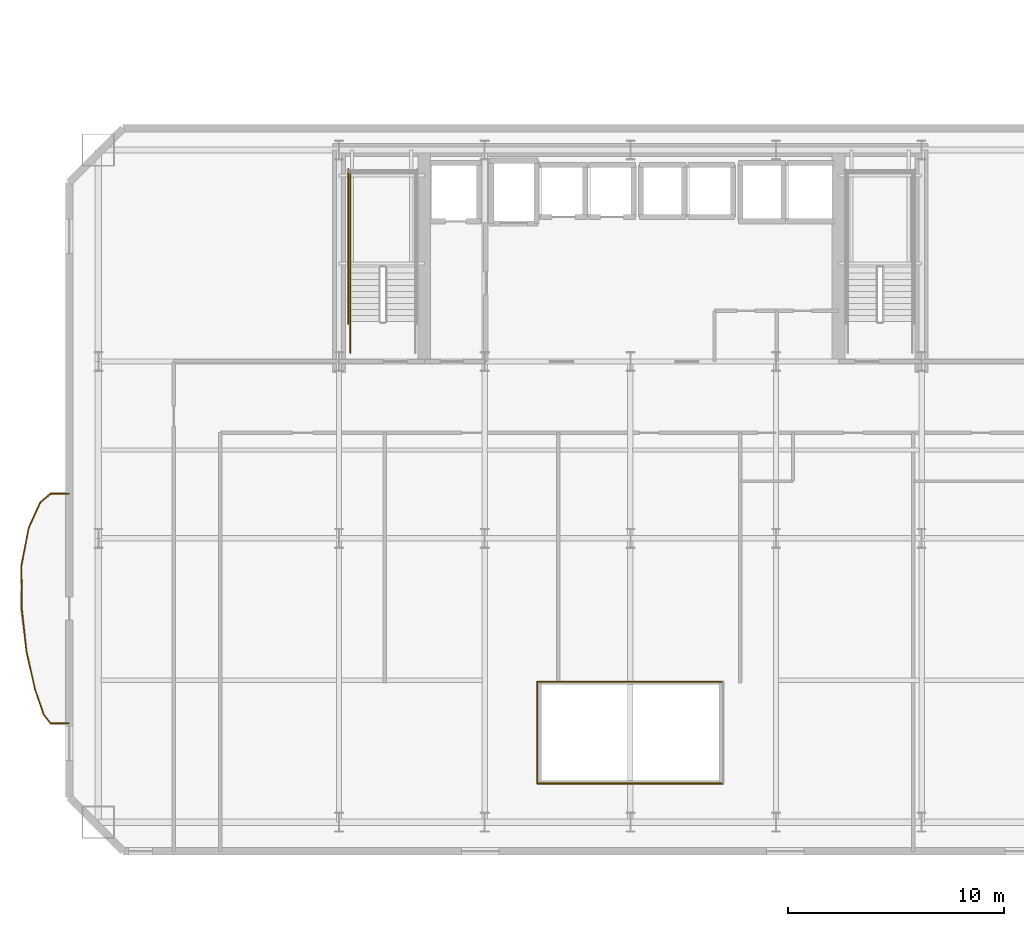
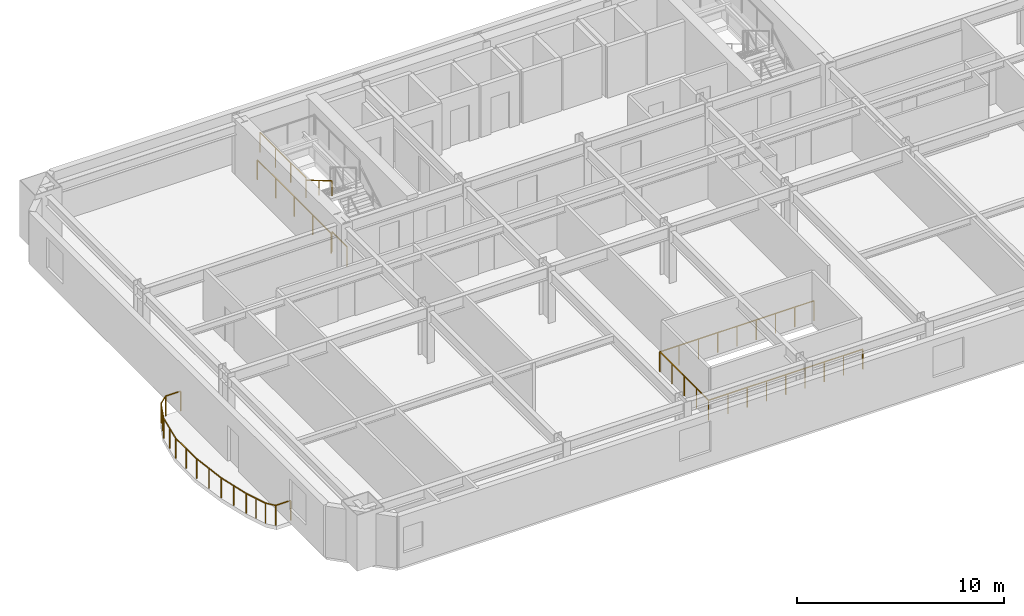
# One storey, part 11 of 16: 17 railings.
"""IFC4 building model written with IfcOpenShell, lengths in metres."""

import ifcopenshell
import ifcopenshell.guid

model = None  # the IFC model being written
_history = None  # IfcOwnerHistory: only IFC2X3 demands one
_inside = {}  # id of a spatial element -> (the spatial element, [elements in it])
_under = {}  # id of a project, library or spatial element -> (it, [spatial elements below it])
_declared = {}  # id of a project -> (the project, [libraries it declares])
_typed = {}  # id of a type object -> (the type object, [elements of that type])
_made_of = {}  # id of a material, layer set ... -> (it, [elements and type objects made of it])


def new_model(schema):
    """Start an empty IFC model of exactly this schema.

    Asked for "IFC4X3", IfcOpenShell would pick the latest addendum, in which some entities
    have other attributes; the version numbers below select the first issue.
    IFC2X3 requires an IfcOwnerHistory on every rooted entity: one is made here for all.
    """
    global model, _history
    if schema == "IFC4X3":
        model = ifcopenshell.file(schema_version=(4, 3, 0, 0))
    else:
        model = ifcopenshell.file(schema=schema)
    _inside.clear()
    _under.clear()
    _declared.clear()
    _typed.clear()
    _made_of.clear()
    _history = None
    if model.schema == "IFC2X3":
        org = make("IfcOrganization", Name="unknown")
        user = make(
            "IfcPersonAndOrganization",
            ThePerson=make("IfcPerson", FamilyName="unknown"),
            TheOrganization=org,
        )
        app = make(
            "IfcApplication",
            ApplicationDeveloper=org,
            Version="unknown",
            ApplicationFullName="unknown",
            ApplicationIdentifier="unknown",
        )
        _history = make(
            "IfcOwnerHistory",
            OwningUser=user,
            OwningApplication=app,
            ChangeAction="ADDED",
            CreationDate=0,
        )
    return model


def make(cls, **values):
    """One entity of the class cls with the attributes given. An attribute that is None is left unset."""
    return model.create_entity(
        cls, **{name: value for name, value in values.items() if value is not None}
    )


def rooted(cls, **values):
    """An entity with a GlobalId (a new one), such as an element, a storey or a relation."""
    return make(cls, GlobalId=ifcopenshell.guid.new(), OwnerHistory=_history, **values)


def si_unit(unit_type, name, prefix=None):
    """IfcSIUnit, for example si_unit("LENGTHUNIT", "METRE", prefix="MILLI")."""
    return make("IfcSIUnit", UnitType=unit_type, Prefix=prefix, Name=name)


def assignment(units):
    """IfcUnitAssignment: the units of a project."""
    return None if units is None else make("IfcUnitAssignment", Units=units)


def point(xyz):
    """IfcCartesianPoint."""
    return None if xyz is None else make("IfcCartesianPoint", Coordinates=xyz)


def direction(xyz):
    """IfcDirection."""
    return None if xyz is None else make("IfcDirection", DirectionRatios=xyz)


def frame(location, z_axis=None, x_axis=None):
    """IfcAxis2Placement3D, a coordinate frame: its origin and axes. An axis left out is left unset."""
    return make(
        "IfcAxis2Placement3D",
        Location=point(location),
        Axis=direction(z_axis),
        RefDirection=direction(x_axis),
    )


def frame_2d(location, x_axis=None):
    """IfcAxis2Placement2D, a coordinate frame in the plane: its origin and x axis."""
    return make(
        "IfcAxis2Placement2D", Location=point(location), RefDirection=direction(x_axis)
    )


def origin():
    """The frame at (0, 0, 0) with its axes left unset."""
    return frame((0.0, 0.0, 0.0))


def origin_2d():
    """The frame at (0, 0) in the plane with its x axis left unset."""
    return frame_2d((0.0, 0.0))


def place(relative_to, where):
    """IfcLocalPlacement: puts the frame where relative to a parent placement (None: the world)."""
    return make(
        "IfcLocalPlacement", PlacementRelTo=relative_to, RelativePlacement=where
    )


def context(
    kind, dimensions, precision=None, world=None, true_north=None, identifier=None
):
    """IfcGeometricRepresentationContext, for example the 3D "Model" context."""
    return make(
        "IfcGeometricRepresentationContext",
        ContextIdentifier=identifier,
        ContextType=kind,
        CoordinateSpaceDimension=dimensions,
        Precision=precision,
        WorldCoordinateSystem=world,
        TrueNorth=true_north,
    )


def subcontext(parent, identifier, kind, view, scale=None):
    """IfcGeometricRepresentationSubContext, for example "Body" below "Model"."""
    return make(
        "IfcGeometricRepresentationSubContext",
        ContextIdentifier=identifier,
        ContextType=kind,
        ParentContext=parent,
        TargetScale=scale,
        TargetView=view,
    )


def project(units=None, contexts=None):
    """IfcProject with its units and contexts."""
    return rooted(
        "IfcProject",
        Name="project",
        RepresentationContexts=contexts,
        UnitsInContext=assignment(units),
    )


def spatial(cls, under=None, at=None, **own):
    """A site, building, storey or space (cls), placed at a placement, below another one or the project."""
    s = rooted(cls, ObjectPlacement=at, **own)
    if under is not None:
        _under.setdefault(under.id(), (under, []))[1].append(s)
    return s


def profile(cls, at=None, kind="AREA", **sizes):
    """A parametric profile (cls). Its sizes go by their IFC names, for example OverallWidth=200.0."""
    return make(cls, ProfileType=kind, Position=at, **sizes)


def rectangle(**sizes):
    """IfcRectangleProfileDef."""
    return profile("IfcRectangleProfileDef", **sizes)


def extrude(swept, where, along, depth):
    """IfcExtrudedAreaSolid: the profile swept, set in the frame where, extruded along a direction by depth."""
    return make(
        "IfcExtrudedAreaSolid",
        SweptArea=swept,
        Position=where,
        ExtrudedDirection=direction(along),
        Depth=depth,
    )


def shape(context_of_items, identifier, shape_type, items):
    """IfcShapeRepresentation: the items that make up one representation, for example the "Body"."""
    return make(
        "IfcShapeRepresentation",
        ContextOfItems=context_of_items,
        RepresentationIdentifier=identifier,
        RepresentationType=shape_type,
        Items=items,
    )


def material(Name=None, Category=None):
    """IfcMaterial."""
    return make("IfcMaterial", Name=Name, Category=Category)


def made_of(thing, what):
    """Note that an element or type object is made of a material, layer set ...; save() writes the relation."""
    if what is not None:
        _made_of.setdefault(what.id(), (what, []))[1].append(thing)
    return thing


def type_object(cls, material=None, **own):
    """A type object (cls), such as IfcWallType, which elements share."""
    return made_of(rooted(cls, **own), material)


def element(
    cls,
    number,
    at=None,
    inside=None,
    cuts=None,
    type_object=None,
    material=None,
    context=None,
    identifier="Body",
    shape_type=None,
    held_by="IfcProductDefinitionShape",
    body=None,
    shapes=None,
    **own,
):
    """One element of the class cls, such as IfcWall. Its Tag is "e" and its number.

    at: its placement. inside: the storey or other place that contains it. cuts: it is an
    opening in that element (IfcRelVoidsElement). A single representation is given by context,
    identifier, shape_type and body (its items); several are given by shapes. held_by: the class
    of the entity that holds the representations. save() writes the other relations.
    """
    e = rooted(cls, Tag="e%d" % number, ObjectPlacement=at, **own)
    if body is not None:
        shapes = [shape(context, identifier, shape_type, body)]
    if shapes is not None:
        e.Representation = make(held_by, Representations=shapes)
    if inside is not None:
        _inside.setdefault(inside.id(), (inside, []))[1].append(e)
    if cuts is not None:
        rooted(
            "IfcRelVoidsElement", RelatingBuildingElement=cuts, RelatedOpeningElement=e
        )
    if type_object is not None:
        _typed.setdefault(type_object.id(), (type_object, []))[1].append(e)
    return made_of(e, material)


def aggregate(whole, parts):
    """IfcRelAggregates: a whole, such as a stair, and the parts it consists of."""
    return rooted("IfcRelAggregates", RelatingObject=whole, RelatedObjects=parts)


def save(model, path):
    """Write the relations noted so far, then the file.

    IfcRelAggregates (storeys below a building ...), IfcRelContainedInSpatialStructure (elements
    in a storey), IfcRelDefinesByType, IfcRelAssociatesMaterial and IfcRelDeclares: one each for
    every whole, place, type object, material and project.
    """
    for whole, parts in _under.values():
        aggregate(whole, parts)
    for where, things in _inside.values():
        rooted(
            "IfcRelContainedInSpatialStructure",
            RelatedElements=things,
            RelatingStructure=where,
        )
    for kind, things in _typed.values():
        rooted("IfcRelDefinesByType", RelatedObjects=things, RelatingType=kind)
    for what, things in _made_of.values():
        rooted("IfcRelAssociatesMaterial", RelatedObjects=things, RelatingMaterial=what)
    for by, libraries in _declared.values():
        rooted("IfcRelDeclares", RelatingContext=by, RelatedDefinitions=libraries)
    model.write(path)


model = new_model("IFC4")

# Units and contexts
model_context = context("Model", 3, precision=1e-05, world=origin(), true_north=direction((0.0, 1.0)))
body_context = subcontext(model_context, "Body", "Model", "MODEL_VIEW")
ifc_project = project(units=[si_unit("LENGTHUNIT", "METRE"), si_unit("AREAUNIT", "SQUARE_METRE"), si_unit("VOLUMEUNIT", "CUBIC_METRE"), si_unit("PLANEANGLEUNIT", "RADIAN"), si_unit("MASSUNIT", "GRAM", prefix="KILO")], contexts=[model_context])

# Site, building, storey
site_placement = place(None, origin())
site = spatial("IfcSite", under=ifc_project, at=site_placement, CompositionType="ELEMENT")
building_placement = place(site_placement, origin())
building = spatial("IfcBuilding", under=site, at=building_placement, Name="Haevon Station Towers", CompositionType="ELEMENT")
storey_placement = place(building_placement, frame((0.0, 0.0, 53.699951171875)))
storey = spatial("IfcBuildingStorey", under=building, at=storey_placement, Name="L13", CompositionType="ELEMENT", Elevation=53.699951171875)

# Railings
ifc_material = material(Name="Steel S355", Category="steel")
railing_type_1 = type_object("IfcRailingType", Name="BAL-ATR1200", PredefinedType="BALUSTRADE", material=ifc_material)
railing_1_placement = place(storey_placement, frame((33.19482421875, 18.642333984375, 0.0)))
element("IfcRailing", 1, at=railing_1_placement, inside=storey, type_object=railing_type_1, Name="L13 Atrium Void Balustrade 1", PredefinedType="BALUSTRADE", context=body_context, shape_type="SweptSolid", body=[
    extrude(rectangle(XDim=0.048095703125, YDim=0.048095703125, at=origin_2d()), frame((0.0, 0.0, 1.17578125), z_axis=(1.0, 0.0, 0.0), x_axis=(0.0, 1.0, 0.0)), (0.0, 0.0, 1.0), 8.6103515625),
    extrude(rectangle(XDim=0.0419921875, YDim=0.0419921875, at=origin_2d()), origin(), (0.0, 0.0, 1.0), 1.15185546875),
    extrude(rectangle(XDim=0.0419921875, YDim=0.0419921875, at=origin_2d()), frame((1.076171875, 0.0, 0.0)), (0.0, 0.0, 1.0), 1.15185546875),
    extrude(rectangle(XDim=0.0419921875, YDim=0.0419921875, at=origin_2d()), frame((2.152587890625, 0.0, 0.0)), (0.0, 0.0, 1.0), 1.15185546875),
    extrude(rectangle(XDim=0.0419921875, YDim=0.0419921875, at=origin_2d()), frame((3.22900390625, 0.0, 0.0)), (0.0, 0.0, 1.0), 1.15185546875),
    extrude(rectangle(XDim=0.0419921875, YDim=0.0419921875, at=origin_2d()), frame((4.30517578125, 0.0, 0.0)), (0.0, 0.0, 1.0), 1.15185546875),
    extrude(rectangle(XDim=0.0419921875, YDim=0.0419921875, at=origin_2d()), frame((5.38134765625, 0.0, 0.0)), (0.0, 0.0, 1.0), 1.15185546875),
    extrude(rectangle(XDim=0.0419921875, YDim=0.0419921875, at=origin_2d()), frame((6.457763671875, 0.0, 0.0)), (0.0, 0.0, 1.0), 1.15185546875),
    extrude(rectangle(XDim=0.0419921875, YDim=0.0419921875, at=origin_2d()), frame((7.5341796875, 0.0, 0.0)), (0.0, 0.0, 1.0), 1.15185546875),
    extrude(rectangle(XDim=0.0419921875, YDim=0.0419921875, at=origin_2d()), frame((8.6103515625, 0.0, 0.0)), (0.0, 0.0, 1.0), 1.15185546875),
])
railing_2_placement = place(storey_placement, frame((41.80517578125, 23.357666015625, 0.0)))
element("IfcRailing", 2, at=railing_2_placement, inside=storey, type_object=railing_type_1, Name="L13 Atrium Void Balustrade 3", PredefinedType="BALUSTRADE", context=body_context, shape_type="SweptSolid", body=[
    extrude(rectangle(XDim=0.048095703125, YDim=0.048095703125, at=origin_2d()), frame((0.0, 0.0, 1.17578125), z_axis=(-1.0, 0.0, 0.0), x_axis=(0.0, -1.0, 0.0)), (0.0, 0.0, 1.0), 8.6103515625),
    extrude(rectangle(XDim=0.0419921875, YDim=0.0419921875, at=origin_2d()), origin(), (0.0, 0.0, 1.0), 1.15185546875),
    extrude(rectangle(XDim=0.0419921875, YDim=0.0419921875, at=origin_2d()), frame((-1.076171875, 0.0, 0.0)), (0.0, 0.0, 1.0), 1.15185546875),
    extrude(rectangle(XDim=0.0419921875, YDim=0.0419921875, at=origin_2d()), frame((-2.152587890625, 0.0, 0.0)), (0.0, 0.0, 1.0), 1.15185546875),
    extrude(rectangle(XDim=0.0419921875, YDim=0.0419921875, at=origin_2d()), frame((-3.22900390625, 0.0, 0.0)), (0.0, 0.0, 1.0), 1.15185546875),
    extrude(rectangle(XDim=0.0419921875, YDim=0.0419921875, at=origin_2d()), frame((-4.30517578125, 0.0, 0.0)), (0.0, 0.0, 1.0), 1.15185546875),
    extrude(rectangle(XDim=0.0419921875, YDim=0.0419921875, at=origin_2d()), frame((-5.38134765625, 0.0, 0.0)), (0.0, 0.0, 1.0), 1.15185546875),
    extrude(rectangle(XDim=0.0419921875, YDim=0.0419921875, at=origin_2d()), frame((-6.457763671875, 0.0, 0.0)), (0.0, 0.0, 1.0), 1.15185546875),
    extrude(rectangle(XDim=0.0419921875, YDim=0.0419921875, at=origin_2d()), frame((-7.5341796875, 0.0, 0.0)), (0.0, 0.0, 1.0), 1.15185546875),
    extrude(rectangle(XDim=0.0419921875, YDim=0.0419921875, at=origin_2d()), frame((-8.6103515625, 0.0, 0.0)), (0.0, 0.0, 1.0), 1.15185546875),
])
railing_3_placement = place(storey_placement, frame((33.19482421875, 23.357666015625, 0.0)))
element("IfcRailing", 3, at=railing_3_placement, inside=storey, type_object=railing_type_1, Name="L13 Atrium Void Balustrade 4", PredefinedType="BALUSTRADE", context=body_context, shape_type="SweptSolid", body=[
    extrude(rectangle(XDim=0.048095703125, YDim=0.048095703125, at=origin_2d()), frame((0.0, 0.0, 1.17578125), z_axis=(0.0, -1.0, 0.0), x_axis=(1.0, 0.0, 0.0)), (0.0, 0.0, 1.0), 4.71533203125),
    extrude(rectangle(XDim=0.0419921875, YDim=0.0419921875, at=origin_2d()), origin(), (0.0, 0.0, 1.0), 1.15185546875),
    extrude(rectangle(XDim=0.0419921875, YDim=0.0419921875, at=origin_2d()), frame((0.0, -1.1787109375, 0.0)), (0.0, 0.0, 1.0), 1.15185546875),
    extrude(rectangle(XDim=0.0419921875, YDim=0.0419921875, at=origin_2d()), frame((0.0, -2.357666015625, 0.0)), (0.0, 0.0, 1.0), 1.15185546875),
    extrude(rectangle(XDim=0.0419921875, YDim=0.0419921875, at=origin_2d()), frame((0.0, -3.53662109375, 0.0)), (0.0, 0.0, 1.0), 1.15185546875),
    extrude(rectangle(XDim=0.0419921875, YDim=0.0419921875, at=origin_2d()), frame((0.0, -4.71533203125, 0.0)), (0.0, 0.0, 1.0), 1.15185546875),
])
railing_type_2 = type_object("IfcRailingType", Name="GRD-EXT1200", PredefinedType="GUARDRAIL", material=ifc_material)
railing_4_placement = place(storey_placement, frame((11.476318359375, 32.072265625, 0.0)))
element("IfcRailing", 4, at=railing_4_placement, inside=storey, type_object=railing_type_2, Name="L13 Perimeter Guardrail 1", PredefinedType="GUARDRAIL", context=body_context, shape_type="SweptSolid", body=[
    extrude(rectangle(XDim=0.048095703125, YDim=0.048095703125, at=origin_2d()), frame((0.0, 0.0, 1.17578125), z_axis=(-0.999997283225, -0.002330995998, 0.0), x_axis=(0.002330995998, -0.999997283225, 0.0)), (0.0, 0.0, 1.0), 0.837890625),
    extrude(rectangle(XDim=0.0419921875, YDim=0.0419921875, at=origin_2d()), origin(), (0.0, 0.0, 1.0), 1.15185546875),
    extrude(rectangle(XDim=0.0419921875, YDim=0.0419921875, at=origin_2d()), frame((-0.837890625, -0.001953125, 0.0)), (0.0, 0.0, 1.0), 1.15185546875),
])
railing_5_placement = place(storey_placement, frame((10.638427734375, 32.0703125, 0.0)))
element("IfcRailing", 5, at=railing_5_placement, inside=storey, type_object=railing_type_2, Name="L13 Perimeter Guardrail 2", PredefinedType="GUARDRAIL", context=body_context, shape_type="SweptSolid", body=[
    extrude(rectangle(XDim=0.048095703125, YDim=0.048095703125, at=origin_2d()), frame((0.0, 0.0, 1.17578125), z_axis=(-0.766342909973, -0.642431742938, 0.0), x_axis=(0.642431742938, -0.766342909973, 0.0)), (0.0, 0.0, 1.0), 0.640380859375),
    extrude(rectangle(XDim=0.0419921875, YDim=0.0419921875, at=origin_2d()), origin(), (0.0, 0.0, 1.0), 1.15185546875),
    extrude(rectangle(XDim=0.0419921875, YDim=0.0419921875, at=origin_2d()), frame((-0.49072265625, -0.411376953125, 0.0)), (0.0, 0.0, 1.0), 1.15185546875),
])
railing_6_placement = place(storey_placement, frame((10.147705078125, 31.658935546875, 0.0)))
element("IfcRailing", 6, at=railing_6_placement, inside=storey, type_object=railing_type_2, Name="L13 Perimeter Guardrail 3", PredefinedType="GUARDRAIL", context=body_context, shape_type="SweptSolid", body=[
    extrude(rectangle(XDim=0.048095703125, YDim=0.048095703125, at=origin_2d()), frame((0.0, 0.0, 1.17578125), z_axis=(-0.414318131111, -0.910132125701, 0.0), x_axis=(0.910132125701, -0.414318131111, 0.0)), (0.0, 0.0, 1.0), 1.28515625),
    extrude(rectangle(XDim=0.0419921875, YDim=0.0419921875, at=origin_2d()), origin(), (0.0, 0.0, 1.0), 1.15185546875),
    extrude(rectangle(XDim=0.0419921875, YDim=0.0419921875, at=origin_2d()), frame((-0.26611328125, -0.5849609375, 0.0)), (0.0, 0.0, 1.0), 1.15185546875),
    extrude(rectangle(XDim=0.0419921875, YDim=0.0419921875, at=origin_2d()), frame((-0.532470703125, -1.169677734375, 0.0)), (0.0, 0.0, 1.0), 1.15185546875),
])
railing_7_placement = place(storey_placement, frame((9.615234375, 30.4892578125, 0.0)))
element("IfcRailing", 7, at=railing_7_placement, inside=storey, type_object=railing_type_2, Name="L13 Perimeter Guardrail 4", PredefinedType="GUARDRAIL", context=body_context, shape_type="SweptSolid", body=[
    extrude(rectangle(XDim=0.048095703125, YDim=0.048095703125, at=origin_2d()), frame((0.0, 0.0, 1.17578125), z_axis=(-0.189270206795, -0.981925042363, 0.0), x_axis=(0.981925042363, -0.189270206795, 0.0)), (0.0, 0.0, 1.0), 1.777587890625),
    extrude(rectangle(XDim=0.0419921875, YDim=0.0419921875, at=origin_2d()), origin(), (0.0, 0.0, 1.0), 1.15185546875),
    extrude(rectangle(XDim=0.0419921875, YDim=0.0419921875, at=origin_2d()), frame((-0.168212890625, -0.87255859375, 0.0)), (0.0, 0.0, 1.0), 1.15185546875),
    extrude(rectangle(XDim=0.0419921875, YDim=0.0419921875, at=origin_2d()), frame((-0.33642578125, -1.745361328125, 0.0)), (0.0, 0.0, 1.0), 1.15185546875),
])
railing_8_placement = place(storey_placement, frame((9.27880859375, 28.743896484375, 0.0)))
element("IfcRailing", 8, at=railing_8_placement, inside=storey, type_object=railing_type_2, Name="L13 Perimeter Guardrail 5", PredefinedType="GUARDRAIL", context=body_context, shape_type="SweptSolid", body=[
    extrude(rectangle(XDim=0.048095703125, YDim=0.048095703125, at=origin_2d()), frame((0.0, 0.0, 1.17578125), z_axis=(0.008448333236, -0.999964312196, 0.0), x_axis=(0.999964312196, 0.008448333236, 0.0)), (0.0, 0.0, 1.0), 1.993896484375),
    extrude(rectangle(XDim=0.0419921875, YDim=0.0419921875, at=origin_2d()), origin(), (0.0, 0.0, 1.0), 1.15185546875),
    extrude(rectangle(XDim=0.0419921875, YDim=0.0419921875, at=origin_2d()), frame((0.00830078125, -0.9970703125, 0.0)), (0.0, 0.0, 1.0), 1.15185546875),
    extrude(rectangle(XDim=0.0419921875, YDim=0.0419921875, at=origin_2d()), frame((0.016845703125, -1.993896484375, 0.0)), (0.0, 0.0, 1.0), 1.15185546875),
])
railing_9_placement = place(storey_placement, frame((9.295654296875, 26.75, 0.0)))
element("IfcRailing", 9, at=railing_9_placement, inside=storey, type_object=railing_type_2, Name="L13 Perimeter Guardrail 6", PredefinedType="GUARDRAIL", context=body_context, shape_type="SweptSolid", body=[
    extrude(rectangle(XDim=0.048095703125, YDim=0.048095703125, at=origin_2d()), frame((0.0, 0.0, 1.17578125), z_axis=(0.108852691243, -0.994057891478, 0.0), x_axis=(0.994057891478, 0.108852691243, 0.0)), (0.0, 0.0, 1.0), 2.0029296875),
    extrude(rectangle(XDim=0.0419921875, YDim=0.0419921875, at=origin_2d()), origin(), (0.0, 0.0, 1.0), 1.15185546875),
    extrude(rectangle(XDim=0.0419921875, YDim=0.0419921875, at=origin_2d()), frame((0.10888671875, -0.99560546875, 0.0)), (0.0, 0.0, 1.0), 1.15185546875),
    extrude(rectangle(XDim=0.0419921875, YDim=0.0419921875, at=origin_2d()), frame((0.218017578125, -1.990966796875, 0.0)), (0.0, 0.0, 1.0), 1.15185546875),
])
railing_10_placement = place(storey_placement, frame((9.513671875, 24.759033203125, 0.0)))
element("IfcRailing", 10, at=railing_10_placement, inside=storey, type_object=railing_type_2, Name="L13 Perimeter Guardrail 7", PredefinedType="GUARDRAIL", context=body_context, shape_type="SweptSolid", body=[
    extrude(rectangle(XDim=0.048095703125, YDim=0.048095703125, at=origin_2d()), frame((0.0, 0.0, 1.17578125), z_axis=(0.219570571944, -0.975596619478, 0.0), x_axis=(0.975596619478, 0.219570571944, 0.0)), (0.0, 0.0, 1.0), 1.791259765625),
    extrude(rectangle(XDim=0.0419921875, YDim=0.0419921875, at=origin_2d()), origin(), (0.0, 0.0, 1.0), 1.15185546875),
    extrude(rectangle(XDim=0.0419921875, YDim=0.0419921875, at=origin_2d()), frame((0.19677734375, -0.873779296875, 0.0)), (0.0, 0.0, 1.0), 1.15185546875),
    extrude(rectangle(XDim=0.0419921875, YDim=0.0419921875, at=origin_2d()), frame((0.393310546875, -1.74755859375, 0.0)), (0.0, 0.0, 1.0), 1.15185546875),
])
railing_11_placement = place(storey_placement, frame((9.906982421875, 23.011474609375, 0.0)))
element("IfcRailing", 11, at=railing_11_placement, inside=storey, type_object=railing_type_2, Name="L13 Perimeter Guardrail 8", PredefinedType="GUARDRAIL", context=body_context, shape_type="SweptSolid", body=[
    extrude(rectangle(XDim=0.048095703125, YDim=0.048095703125, at=origin_2d()), frame((0.0, 0.0, 1.17578125), z_axis=(0.324208289562, -0.94598572134, 0.0), x_axis=(0.94598572134, 0.324208289562, 0.0)), (0.0, 0.0, 1.0), 1.2373046875),
    extrude(rectangle(XDim=0.0419921875, YDim=0.0419921875, at=origin_2d()), origin(), (0.0, 0.0, 1.0), 1.15185546875),
    extrude(rectangle(XDim=0.0419921875, YDim=0.0419921875, at=origin_2d()), frame((0.20068359375, -0.585205078125, 0.0)), (0.0, 0.0, 1.0), 1.15185546875),
    extrude(rectangle(XDim=0.0419921875, YDim=0.0419921875, at=origin_2d()), frame((0.401123046875, -1.17041015625, 0.0)), (0.0, 0.0, 1.0), 1.15185546875),
])
railing_12_placement = place(storey_placement, frame((10.30810546875, 21.841064453125, 0.0)))
element("IfcRailing", 12, at=railing_12_placement, inside=storey, type_object=railing_type_2, Name="L13 Perimeter Guardrail 9", PredefinedType="GUARDRAIL", context=body_context, shape_type="SweptSolid", body=[
    extrude(rectangle(XDim=0.048095703125, YDim=0.048095703125, at=origin_2d()), frame((0.0, 0.0, 1.17578125), z_axis=(0.626104860379, -0.779738868987, 0.0), x_axis=(0.779738868987, 0.626104860379, 0.0)), (0.0, 0.0, 1.0), 0.527587890625),
    extrude(rectangle(XDim=0.0419921875, YDim=0.0419921875, at=origin_2d()), origin(), (0.0, 0.0, 1.0), 1.15185546875),
    extrude(rectangle(XDim=0.0419921875, YDim=0.0419921875, at=origin_2d()), frame((0.330322265625, -0.411376953125, 0.0)), (0.0, 0.0, 1.0), 1.15185546875),
])
railing_13_placement = place(storey_placement, frame((10.638427734375, 21.4296875, 0.0)))
element("IfcRailing", 13, at=railing_13_placement, inside=storey, type_object=railing_type_2, Name="L13 Perimeter Guardrail 10", PredefinedType="GUARDRAIL", context=body_context, shape_type="SweptSolid", body=[
    extrude(rectangle(XDim=0.048095703125, YDim=0.048095703125, at=origin_2d()), frame((0.0, 0.0, 1.17578125), z_axis=(0.999997283225, -0.002330995998, 0.0), x_axis=(0.002330995998, 0.999997283225, 0.0)), (0.0, 0.0, 1.0), 0.837890625),
    extrude(rectangle(XDim=0.0419921875, YDim=0.0419921875, at=origin_2d()), origin(), (0.0, 0.0, 1.0), 1.15185546875),
    extrude(rectangle(XDim=0.0419921875, YDim=0.0419921875, at=origin_2d()), frame((0.837890625, -0.001953125, 0.0)), (0.0, 0.0, 1.0), 1.15185546875),
])
railing_type_3 = type_object("IfcRailingType", Name="GRD-STR1200", PredefinedType="GUARDRAIL", material=ifc_material)
railing_14_placement = place(storey_placement, frame((24.530029296875, 42.570068359375, 1.650146484375)))
element("IfcRailing", 14, at=railing_14_placement, inside=storey, type_object=railing_type_3, Name="L13 ST1 Stair Guard 4", PredefinedType="GUARDRAIL", context=body_context, shape_type="SweptSolid", body=[
    extrude(rectangle(XDim=0.048095703125, YDim=0.048095703125, at=origin_2d()), frame((0.0, 0.0, 1.17578125), z_axis=(0.0, 1.0, 0.0), x_axis=(-1.0, 0.0, 0.0)), (0.0, 0.0, 1.0), 4.429931640625),
    extrude(rectangle(XDim=0.0419921875, YDim=0.0419921875, at=origin_2d()), origin(), (0.0, 0.0, 1.0), 1.15185546875),
    extrude(rectangle(XDim=0.0419921875, YDim=0.0419921875, at=origin_2d()), frame((0.0, 1.4765625, 0.0)), (0.0, 0.0, 1.0), 1.15185546875),
    extrude(rectangle(XDim=0.0419921875, YDim=0.0419921875, at=origin_2d()), frame((0.0, 2.953369140625, 0.0)), (0.0, 0.0, 1.0), 1.15185546875),
    extrude(rectangle(XDim=0.0419921875, YDim=0.0419921875, at=origin_2d()), frame((0.0, 4.429931640625, 0.0)), (0.0, 0.0, 1.0), 1.15185546875),
])
railing_15_placement = place(storey_placement, frame((24.530029296875, 38.60009765625, 0.0)))
element("IfcRailing", 15, at=railing_15_placement, inside=storey, type_object=railing_type_3, Name="L13 ST1 Stair Guard 9", PredefinedType="GUARDRAIL", context=body_context, shape_type="SweptSolid", body=[
    extrude(rectangle(XDim=0.048095703125, YDim=0.048095703125, at=origin_2d()), frame((0.0, 0.0, 1.17578125), z_axis=(0.0, 1.0, 0.0), x_axis=(-1.0, 0.0, 0.0)), (0.0, 0.0, 1.0), 1.449951171875),
    extrude(rectangle(XDim=0.0419921875, YDim=0.0419921875, at=origin_2d()), origin(), (0.0, 0.0, 1.0), 1.15185546875),
    extrude(rectangle(XDim=0.0419921875, YDim=0.0419921875, at=origin_2d()), frame((0.0, 1.449951171875, 0.0)), (0.0, 0.0, 1.0), 1.15185546875),
])
railing_16_placement = place(storey_placement, frame((24.429931640625, 39.949951171875, 0.0)))
element("IfcRailing", 16, at=railing_16_placement, inside=storey, type_object=railing_type_3, Name="L13 ST1 Stair Guard 11", PredefinedType="GUARDRAIL", context=body_context, shape_type="SweptSolid", body=[
    extrude(rectangle(XDim=0.048095703125, YDim=0.048095703125, at=origin_2d()), frame((0.0, 0.0, 1.17578125), z_axis=(0.0, 1.0, 0.0), x_axis=(-1.0, 0.0, 0.0)), (0.0, 0.0, 1.0), 7.150146484375),
    extrude(rectangle(XDim=0.0419921875, YDim=0.0419921875, at=origin_2d()), origin(), (0.0, 0.0, 1.0), 1.15185546875),
    extrude(rectangle(XDim=0.0419921875, YDim=0.0419921875, at=origin_2d()), frame((0.0, 1.78759765625, 0.0)), (0.0, 0.0, 1.0), 1.15185546875),
    extrude(rectangle(XDim=0.0419921875, YDim=0.0419921875, at=origin_2d()), frame((0.0, 3.5751953125, 0.0)), (0.0, 0.0, 1.0), 1.15185546875),
    extrude(rectangle(XDim=0.0419921875, YDim=0.0419921875, at=origin_2d()), frame((0.0, 5.362548828125, 0.0)), (0.0, 0.0, 1.0), 1.15185546875),
    extrude(rectangle(XDim=0.0419921875, YDim=0.0419921875, at=origin_2d()), frame((0.0, 7.150146484375, 0.0)), (0.0, 0.0, 1.0), 1.15185546875),
])
railing_type_4 = type_object("IfcRailingType", Name="HND-STR900", PredefinedType="HANDRAIL", material=ifc_material)
railing_17_placement = place(storey_placement, frame((24.530029296875, 42.570068359375, 1.81494140625)))
element("IfcRailing", 17, at=railing_17_placement, inside=storey, type_object=railing_type_4, Name="L13 ST1 Stair Handrail 2", PredefinedType="HANDRAIL", context=body_context, shape_type="SweptSolid", body=[
    extrude(rectangle(XDim=0.048095703125, YDim=0.048095703125, at=origin_2d()), frame((0.0, 0.0, 0.8759765625), z_axis=(0.0, -0.86152411907, 0.507716645641), x_axis=(1.0, 0.0, 0.0)), (0.0, 0.0, 1.0), 2.925048828125),
    extrude(rectangle(XDim=0.0419921875, YDim=0.0419921875, at=origin_2d()), origin(), (0.0, 0.0, 1.0), 0.851806640625),
    extrude(rectangle(XDim=0.0419921875, YDim=0.0419921875, at=origin_2d()), frame((0.0, -1.260009765625, 0.74267578125)), (0.0, 0.0, 1.0), 0.851806640625),
    extrude(rectangle(XDim=0.0419921875, YDim=0.0419921875, at=origin_2d()), frame((0.0, -2.52001953125, 1.485107421875)), (0.0, 0.0, 1.0), 0.851806640625),
])

save(model, "model.ifc")
